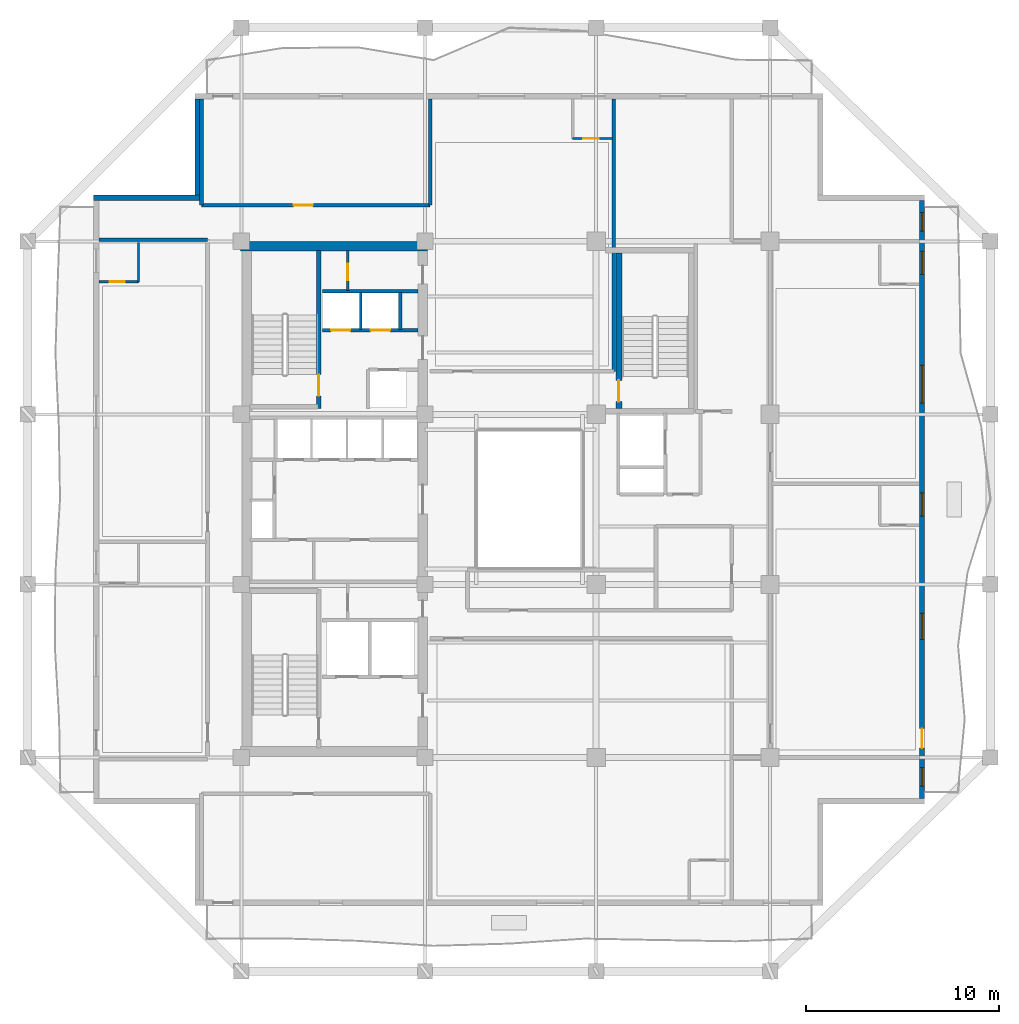
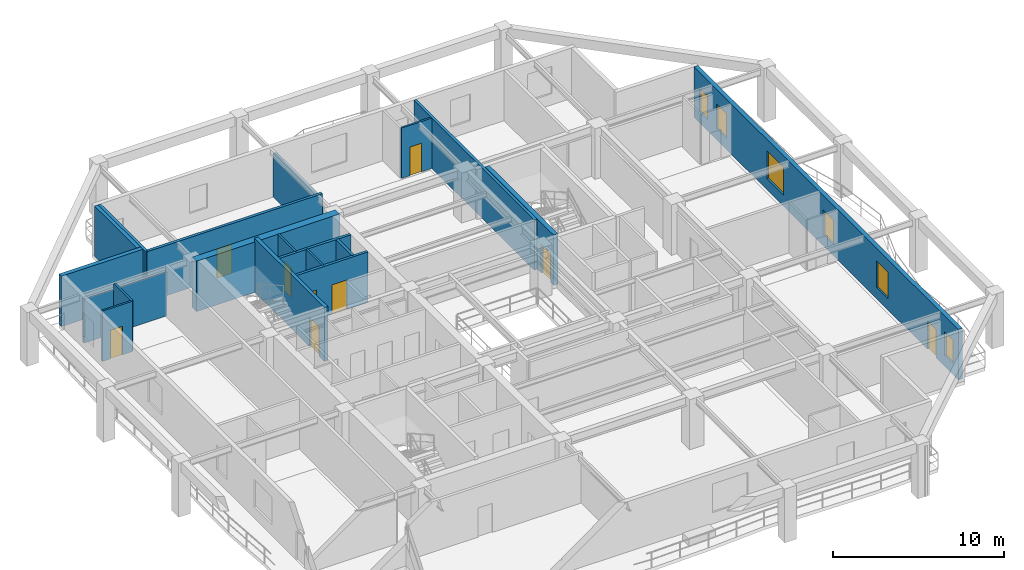
# One storey, part 5 of 12: 19 walls, 9 doors, 6 windows, 15 openings.
"""IFC4 building model written with IfcOpenShell, lengths in metres."""

from ifc_helpers import new_model, si_unit, direction, frame, frame_2d, origin, place, context, subcontext, project, spatial, rectangle, extrude, material, layer, layer_set, type_object, element, fill, save


model = new_model("IFC4")

# Units and contexts
model_context = context("Model", 3, precision=1e-05, world=origin(), true_north=direction((0.0, 1.0)))
body_context = subcontext(model_context, "Body", "Model", "MODEL_VIEW")
ifc_project = project(units=[si_unit("LENGTHUNIT", "METRE"), si_unit("AREAUNIT", "SQUARE_METRE"), si_unit("VOLUMEUNIT", "CUBIC_METRE"), si_unit("PLANEANGLEUNIT", "RADIAN"), si_unit("MASSUNIT", "GRAM", prefix="KILO")], contexts=[model_context])

# Site, building, storey
site_placement = place(None, origin())
site = spatial("IfcSite", under=ifc_project, at=site_placement, CompositionType="ELEMENT")
building_placement = place(site_placement, origin())
building = spatial("IfcBuilding", under=site, at=building_placement, Name="Kundavana Baori Tower", CompositionType="ELEMENT")
storey_placement = place(building_placement, frame((0.0, 0.0, 157.89990234375)))
storey = spatial("IfcBuildingStorey", under=building, at=storey_placement, Name="L38", CompositionType="ELEMENT", Elevation=157.89990234375)

# Wall, opening, door
ifc_material_1 = material(Name="Concrete C50/60", Category="concrete")
ifc_layer_1 = layer(ifc_material_1, 0.39990234375, Name="WL-CORE-400")
ifc_layer_set_1 = layer_set([ifc_layer_1], Name="Concrete C50/60")
wall_type_1 = type_object("IfcWallType", Name="WL-CORE-400", PredefinedType="SHEAR", material=ifc_layer_set_1)
wall_1_placement = place(storey_placement, frame((19.4599609375, 33.300048828125, 0.0), z_axis=(0.0, 0.0, 1.0), x_axis=(0.0, 1.0, 0.0)))
wall_1 = element("IfcWall", 1, at=wall_1_placement, inside=storey, type_object=wall_type_1, Name="WL-L38-ST2-E", PredefinedType="SHEAR", context=body_context, shape_type="SweptSolid", body=[
    extrude(rectangle(XDim=8.179931640625, YDim=0.239990234375, at=frame_2d((4.08984375, 0.0))), origin(), (0.0, 0.0, 1.0), 3.85009765625),
])
opening_1_placement = place(wall_1_placement, frame((0.64990234375, 0.0, 0.0)))
opening_1 = element("IfcOpeningElement", 2, at=opening_1_placement, cuts=wall_1, Name="Opening FD-110", PredefinedType="OPENING", context=body_context, shape_type="SweptSolid", body=[
    extrude(rectangle(XDim=1.10009765625, YDim=2.10009765625, at=frame_2d((0.550048828125, 1.050048828125))), frame((0.0, 0.1298828125, 0.0), z_axis=(0.0, -1.0, 0.0), x_axis=(1.0, 0.0, 0.0)), (0.0, 0.0, 1.0), 0.260009765625),
])
ifc_material_2 = material(Name="Galvanised Steel Fire-Rated Door Leaf", Category="steel")
door_type_1 = type_object("IfcDoorType", Name="DR-FD120-1100", OperationType="NOTDEFINED", PredefinedType="DOOR", material=ifc_material_2)
door_1_placement = place(opening_1_placement, origin())
door_1 = element("IfcDoor", 3, at=door_1_placement, inside=storey, type_object=door_type_1, Name="DR-L38-ST2", OperationType="SINGLE_SWING_RIGHT", OverallHeight=2.10009765625, OverallWidth=1.10009765625, PredefinedType="DOOR", context=body_context, shape_type="SweptSolid", body=[
    extrude(rectangle(XDim=1.10009765625, YDim=2.10009765625, at=frame_2d((0.550048828125, 1.050048828125))), frame((0.0, 0.02490234375, 0.0), z_axis=(0.0, -1.0, 0.0), x_axis=(1.0, 0.0, 0.0)), (0.0, 0.0, 1.0), 0.050048828125),
])
fill(opening_1, door_1)

# Wall
ifc_material_3 = material(Name="Concrete C50/60", Category="concrete")
ifc_layer_2 = layer(ifc_material_3, 0.5, Name="WL-CORE-500")
ifc_layer_set_2 = layer_set([ifc_layer_2], Name="Concrete C50/60")
wall_type_2 = type_object("IfcWallType", Name="WL-CORE-500", PredefinedType="SHEAR", material=ifc_layer_set_2)
wall_2_placement = place(storey_placement, frame((15.39990234375, 41.68994140625, 0.0), z_axis=(0.0, 0.0, 1.0), x_axis=(1.0, 0.0, 0.0)))
element("IfcWall", 4, at=wall_2_placement, inside=storey, type_object=wall_type_2, Name="L38 Offset Core North Shear Wall", PredefinedType="SHEAR", context=body_context, shape_type="SweptSolid", body=[
    extrude(rectangle(XDim=9.68017578125, YDim=0.5, at=frame_2d((4.840087890625, 0.0))), origin(), (0.0, 0.0, 1.0), 3.60009765625),
])

# Wall, openings, door, windows
ifc_material_4 = material(Name="Red-Buff Dholpur Sandstone Cladding on Concrete C40/50", Category="masonry")
ifc_layer_3 = layer(ifc_material_4, 0.280029296875, Name="WL-EXT-SAND-280")
ifc_layer_set_3 = layer_set([ifc_layer_3], Name="Red-Buff Dholpur Sandstone Cladding on Concrete C40/50")
wall_type_3 = type_object("IfcWallType", Name="WL-EXT-SAND-280", PredefinedType="STANDARD", material=ifc_layer_set_3)
wall_3_placement = place(storey_placement, frame((50.659912109375, 13.1298828125, 0.0), z_axis=(0.0, 0.0, 1.0), x_axis=(0.0, 1.0, 0.0)))
wall_3 = element("IfcWall", 5, at=wall_3_placement, inside=storey, type_object=wall_type_3, Name="L38 Exterior Insulated Facade Wall 04", PredefinedType="STANDARD", context=body_context, shape_type="SweptSolid", body=[
    extrude(rectangle(XDim=30.940185546875, YDim=0.280029296875, at=frame_2d((15.47021484375, 0.0))), origin(), (0.0, 0.0, 1.0), 3.60009765625),
])
opening_2_placement = place(wall_3_placement, frame((0.639892578125, 0.0, 0.800048828125)))
opening_2 = element("IfcOpeningElement", 6, at=opening_2_placement, cuts=wall_3, Name="Opening W-13", PredefinedType="OPENING", context=body_context, shape_type="SweptSolid", body=[
    extrude(rectangle(XDim=0.949951171875, YDim=1.64990234375, at=frame_2d((0.47509765625, 0.824951171875))), frame((0.0, 0.14990234375, 0.0), z_axis=(0.0, -1.0, 0.0), x_axis=(1.0, 0.0, 0.0)), (0.0, 0.0, 1.0), 0.300048828125),
])
opening_3_placement = place(wall_3_placement, frame((2.610107421875, 0.0, 0.0)))
opening_3 = element("IfcOpeningElement", 7, at=opening_3_placement, cuts=wall_3, Name="Opening BD-1", PredefinedType="OPENING", context=body_context, shape_type="SweptSolid", body=[
    extrude(rectangle(XDim=1.0, YDim=2.050048828125, at=frame_2d((0.5, 1.02490234375))), frame((0.0, 0.14990234375, 0.0), z_axis=(0.0, -1.0, 0.0), x_axis=(1.0, 0.0, 0.0)), (0.0, 0.0, 1.0), 0.300048828125),
])
opening_4_placement = place(wall_3_placement, frame((8.22998046875, 0.0, 0.800048828125)))
opening_4 = element("IfcOpeningElement", 8, at=opening_4_placement, cuts=wall_3, Name="Opening W-07", PredefinedType="OPENING", context=body_context, shape_type="SweptSolid", body=[
    extrude(rectangle(XDim=1.35009765625, YDim=1.89990234375, at=frame_2d((0.675048828125, 0.949951171875))), frame((0.0, 0.14990234375, 0.0), z_axis=(0.0, -1.0, 0.0), x_axis=(1.0, 0.0, 0.0)), (0.0, 0.0, 1.0), 0.300048828125),
])
opening_5_placement = place(wall_3_placement, frame((14.60498046875, 0.0, 0.800048828125)))
opening_5 = element("IfcOpeningElement", 9, at=opening_5_placement, cuts=wall_3, Name="Opening W-03", PredefinedType="OPENING", context=body_context, shape_type="SweptSolid", body=[
    extrude(rectangle(XDim=1.199951171875, YDim=1.75, at=frame_2d((0.60009765625, 0.875))), frame((0.0, 0.14990234375, 0.0), z_axis=(0.0, -1.0, 0.0), x_axis=(1.0, 0.0, 0.0)), (0.0, 0.0, 1.0), 0.300048828125),
])
opening_6_placement = place(wall_3_placement, frame((20.455078125, 0.0, 0.800048828125)))
opening_6 = element("IfcOpeningElement", 10, at=opening_6_placement, cuts=wall_3, Name="Opening W-09", PredefinedType="OPENING", context=body_context, shape_type="SweptSolid", body=[
    extrude(rectangle(XDim=1.949951171875, YDim=2.0, at=frame_2d((0.97509765625, 1.0))), frame((0.0, 0.14990234375, 0.0), z_axis=(0.0, -1.0, 0.0), x_axis=(1.0, 0.0, 0.0)), (0.0, 0.0, 1.0), 0.300048828125),
])
opening_7_placement = place(wall_3_placement, frame((27.10498046875, 0.0, 0.800048828125)))
opening_7 = element("IfcOpeningElement", 11, at=opening_7_placement, cuts=wall_3, Name="Opening W-03", PredefinedType="OPENING", context=body_context, shape_type="SweptSolid", body=[
    extrude(rectangle(XDim=1.199951171875, YDim=1.75, at=frame_2d((0.60009765625, 0.875))), frame((0.0, 0.14990234375, 0.0), z_axis=(0.0, -1.0, 0.0), x_axis=(1.0, 0.0, 0.0)), (0.0, 0.0, 1.0), 0.300048828125),
])
opening_8_placement = place(wall_3_placement, frame((29.35009765625, 0.0, 0.800048828125)))
opening_8 = element("IfcOpeningElement", 12, at=opening_8_placement, cuts=wall_3, Name="Opening W-13", PredefinedType="OPENING", context=body_context, shape_type="SweptSolid", body=[
    extrude(rectangle(XDim=0.949951171875, YDim=1.64990234375, at=frame_2d((0.47509765625, 0.824951171875))), frame((0.0, 0.14990234375, 0.0), z_axis=(0.0, -1.0, 0.0), x_axis=(1.0, 0.0, 0.0)), (0.0, 0.0, 1.0), 0.300048828125),
])
ifc_material_5 = material(Name="Architectural Patinated Bronze Metalwork")
door_type_2 = type_object("IfcDoorType", Name="DR-EXT-LOG-1000", OperationType="NOTDEFINED", PredefinedType="DOOR", material=ifc_material_5)
door_2_placement = place(opening_3_placement, frame((1.0, 0.0, 0.0), z_axis=(0.0, 0.0, 1.0), x_axis=(-1.0, 0.0, 0.0)))
door_2 = element("IfcDoor", 13, at=door_2_placement, inside=storey, type_object=door_type_2, Name="L38 Loggia Balcony Access Door E", OperationType="SINGLE_SWING_LEFT", OverallHeight=2.050048828125, OverallWidth=1.0, PredefinedType="DOOR", context=body_context, shape_type="SweptSolid", body=[
    extrude(rectangle(XDim=1.0, YDim=2.050048828125, at=frame_2d((0.5, 1.02490234375))), frame((0.0, 0.02490234375, 0.0), z_axis=(0.0, -1.0, 0.0), x_axis=(1.0, 0.0, 0.0)), (0.0, 0.0, 1.0), 0.050048828125),
])
fill(opening_3, door_2)
ifc_material_6 = material(Name="Double-Glazed Solar-Control Low-E Insulated Glass", Category="glass")
window_type_1 = type_object("IfcWindowType", Name="WIN-LOG-1200x1750", PartitioningType="SINGLE_PANEL", PredefinedType="WINDOW", material=ifc_material_6)
window_1_placement = place(opening_5_placement, origin())
window_1 = element("IfcWindow", 14, at=window_1_placement, inside=storey, type_object=window_type_1, Name="L38 Recessed Loggia Window E-3", OverallHeight=1.75, OverallWidth=1.199951171875, PartitioningType="SINGLE_PANEL", PredefinedType="WINDOW", context=body_context, shape_type="SweptSolid", body=[
    extrude(rectangle(XDim=1.199951171875, YDim=1.75, at=frame_2d((0.60009765625, 0.875))), frame((0.0, 0.030029296875, 0.0), z_axis=(0.0, -1.0, 0.0), x_axis=(1.0, 0.0, 0.0)), (0.0, 0.0, 1.0), 0.06005859375),
])
fill(opening_5, window_1)
window_2_placement = place(opening_7_placement, origin())
window_2 = element("IfcWindow", 15, at=window_2_placement, inside=storey, type_object=window_type_1, Name="L38 Recessed Loggia Window E-5", OverallHeight=1.75, OverallWidth=1.199951171875, PartitioningType="SINGLE_PANEL", PredefinedType="WINDOW", context=body_context, shape_type="SweptSolid", body=[
    extrude(rectangle(XDim=1.199951171875, YDim=1.75, at=frame_2d((0.60009765625, 0.875))), frame((0.0, 0.030029296875, 0.0), z_axis=(0.0, -1.0, 0.0), x_axis=(1.0, 0.0, 0.0)), (0.0, 0.0, 1.0), 0.06005859375),
])
fill(opening_7, window_2)
ifc_material_7 = material(Name="Double-Glazed Solar-Control Low-E Insulated Glass", Category="glass")
window_type_2 = type_object("IfcWindowType", Name="WIN-LOG-1350x1900", PartitioningType="SINGLE_PANEL", PredefinedType="WINDOW", material=ifc_material_7)
window_3_placement = place(opening_4_placement, origin())
window_3 = element("IfcWindow", 16, at=window_3_placement, inside=storey, type_object=window_type_2, Name="L38 Recessed Loggia Window E-2", OverallHeight=1.89990234375, OverallWidth=1.35009765625, PartitioningType="SINGLE_PANEL", PredefinedType="WINDOW", context=body_context, shape_type="SweptSolid", body=[
    extrude(rectangle(XDim=1.35009765625, YDim=1.89990234375, at=frame_2d((0.675048828125, 0.949951171875))), frame((0.0, 0.030029296875, 0.0), z_axis=(0.0, -1.0, 0.0), x_axis=(1.0, 0.0, 0.0)), (0.0, 0.0, 1.0), 0.06005859375),
])
fill(opening_4, window_3)
ifc_material_8 = material(Name="Double-Glazed Solar-Control Low-E Insulated Glass", Category="glass")
window_type_3 = type_object("IfcWindowType", Name="WIN-LOG-1950x2000", PartitioningType="SINGLE_PANEL", PredefinedType="WINDOW", material=ifc_material_8)
window_4_placement = place(opening_6_placement, origin())
window_4 = element("IfcWindow", 17, at=window_4_placement, inside=storey, type_object=window_type_3, Name="L38 Recessed Loggia Window E-4", OverallHeight=2.0, OverallWidth=1.949951171875, PartitioningType="SINGLE_PANEL", PredefinedType="WINDOW", context=body_context, shape_type="SweptSolid", body=[
    extrude(rectangle(XDim=1.949951171875, YDim=2.0, at=frame_2d((0.97509765625, 1.0))), frame((0.0, 0.030029296875, 0.0), z_axis=(0.0, -1.0, 0.0), x_axis=(1.0, 0.0, 0.0)), (0.0, 0.0, 1.0), 0.06005859375),
])
fill(opening_6, window_4)
ifc_material_9 = material(Name="Double-Glazed Solar-Control Low-E Insulated Glass", Category="glass")
window_type_4 = type_object("IfcWindowType", Name="WIN-LOG-950x1650", PartitioningType="SINGLE_PANEL", PredefinedType="WINDOW", material=ifc_material_9)
window_5_placement = place(opening_2_placement, origin())
window_5 = element("IfcWindow", 18, at=window_5_placement, inside=storey, type_object=window_type_4, Name="L38 Recessed Loggia Window E-1", OverallHeight=1.64990234375, OverallWidth=0.949951171875, PartitioningType="SINGLE_PANEL", PredefinedType="WINDOW", context=body_context, shape_type="SweptSolid", body=[
    extrude(rectangle(XDim=0.949951171875, YDim=1.64990234375, at=frame_2d((0.47509765625, 0.824951171875))), frame((0.0, 0.030029296875, 0.0), z_axis=(0.0, -1.0, 0.0), x_axis=(1.0, 0.0, 0.0)), (0.0, 0.0, 1.0), 0.06005859375),
])
fill(opening_2, window_5)
window_6_placement = place(opening_8_placement, origin())
window_6 = element("IfcWindow", 19, at=window_6_placement, inside=storey, type_object=window_type_4, Name="L38 Recessed Loggia Window E-6", OverallHeight=1.64990234375, OverallWidth=0.949951171875, PartitioningType="SINGLE_PANEL", PredefinedType="WINDOW", context=body_context, shape_type="SweptSolid", body=[
    extrude(rectangle(XDim=0.949951171875, YDim=1.64990234375, at=frame_2d((0.47509765625, 0.824951171875))), frame((0.0, 0.030029296875, 0.0), z_axis=(0.0, -1.0, 0.0), x_axis=(1.0, 0.0, 0.0)), (0.0, 0.0, 1.0), 0.06005859375),
])
fill(opening_8, window_6)

# Walls
wall_4_placement = place(storey_placement, frame((13.18994140625, 49.320068359375, 0.0), z_axis=(0.0, 0.0, 1.0), x_axis=(0.0, -1.0, 0.0)))
element("IfcWall", 20, at=wall_4_placement, inside=storey, type_object=wall_type_3, Name="L38 Exterior Insulated Facade Wall 08", PredefinedType="STANDARD", context=body_context, shape_type="SweptSolid", body=[
    extrude(rectangle(XDim=4.969970703125, YDim=0.280029296875, at=frame_2d((2.48486328125, 0.0))), origin(), (0.0, 0.0, 1.0), 3.60009765625),
])
wall_5_placement = place(storey_placement, frame((13.330078125, 44.2099609375, 0.0), z_axis=(0.0, 0.0, 1.0), x_axis=(-1.0, 0.0, 0.0)))
element("IfcWall", 21, at=wall_5_placement, inside=storey, type_object=wall_type_3, Name="L38 Exterior Insulated Facade Wall 09", PredefinedType="STANDARD", context=body_context, shape_type="SweptSolid", body=[
    extrude(rectangle(XDim=5.530029296875, YDim=0.280029296875, at=frame_2d((2.76513671875, 0.0))), origin(), (0.0, 0.0, 1.0), 3.60009765625),
])
ifc_material_10 = material(Name="Acoustic Gypsum Plasterboard on Galvanised Steel Studs", Category="steel")
ifc_layer_4 = layer(ifc_material_10, 0.1201171875, Name="WL-PART-120")
ifc_layer_set_4 = layer_set([ifc_layer_4], Name="Acoustic Gypsum Plasterboard on Galvanised Steel Studs")
wall_type_4 = type_object("IfcWallType", Name="WL-PART-120", PredefinedType="PARTITIONING", material=ifc_layer_set_4)
wall_6_placement = place(storey_placement, frame((21.6201171875, 37.39990234375, 0.0), z_axis=(0.0, 0.0, 1.0), x_axis=(0.0, 1.0, 0.0)))
element("IfcWall", 22, at=wall_6_placement, inside=storey, type_object=wall_type_4, Name="WL-L38-HR-DIV1", PredefinedType="PARTITIONING", context=body_context, shape_type="SweptSolid", body=[
    extrude(rectangle(XDim=1.900146484375, YDim=0.1201171875, at=frame_2d((0.9501953125, 0.0))), origin(), (0.0, 0.0, 1.0), 3.60009765625),
])

# Wall, opening, door
wall_7_placement = place(storey_placement, frame((20.949951171875, 39.39990234375, 0.0), z_axis=(0.0, 0.0, 1.0), x_axis=(0.0, 1.0, 0.0)))
wall_7 = element("IfcWall", 23, at=wall_7_placement, inside=storey, type_object=wall_type_4, Name="WL-L38-CSRV-D2", PredefinedType="PARTITIONING", context=body_context, shape_type="SweptSolid", body=[
    extrude(rectangle(XDim=2.080078125, YDim=0.1201171875, at=frame_2d((1.0400390625, 0.0))), origin(), (0.0, 0.0, 1.0), 3.60009765625),
])
opening_9_placement = place(wall_7_placement, frame((0.550048828125, 0.0, 0.0)))
opening_9 = element("IfcOpeningElement", 24, at=opening_9_placement, cuts=wall_7, Name="Opening FD-085", PredefinedType="OPENING", context=body_context, shape_type="SweptSolid", body=[
    extrude(rectangle(XDim=0.85009765625, YDim=2.06005859375, at=frame_2d((0.425048828125, 1.030029296875))), frame((0.0, 0.070068359375, 0.0), z_axis=(0.0, -1.0, 0.0), x_axis=(1.0, 0.0, 0.0)), (0.0, 0.0, 1.0), 0.14013671875),
])
ifc_material_11 = material(Name="Galvanised Steel Fire-Rated Door Leaf", Category="steel")
door_type_3 = type_object("IfcDoorType", Name="DR-FD60-850", OperationType="NOTDEFINED", PredefinedType="DOOR", material=ifc_material_11)
door_3_placement = place(opening_9_placement, origin())
door_3 = element("IfcDoor", 25, at=door_3_placement, inside=storey, type_object=door_type_3, Name="DR-L38-CSRV1", OperationType="SINGLE_SWING_RIGHT", OverallHeight=2.06005859375, OverallWidth=0.85009765625, PredefinedType="DOOR", context=body_context, shape_type="SweptSolid", body=[
    extrude(rectangle(XDim=0.85009765625, YDim=2.06005859375, at=frame_2d((0.425048828125, 1.030029296875))), frame((0.0, 0.02490234375, 0.0), z_axis=(0.0, -1.0, 0.0), x_axis=(1.0, 0.0, 0.0)), (0.0, 0.0, 1.0), 0.050048828125),
])
fill(opening_9, door_3)

# Wall
ifc_material_12 = material(Name="Autoclaved Aerated Concrete Blockwork Masonry", Category="masonry")
ifc_layer_5 = layer(ifc_material_12, 0.18505859375, Name="WL-PART-180")
ifc_layer_set_5 = layer_set([ifc_layer_5], Name="Autoclaved Aerated Concrete Blockwork Masonry")
wall_type_5 = type_object("IfcWallType", Name="WL-PART-180", PredefinedType="SOLIDWALL", material=ifc_layer_set_5)
wall_8_placement = place(storey_placement, frame((8.080078125, 42.0400390625, 0.0), z_axis=(0.0, 0.0, 1.0), x_axis=(1.0, 0.0, 0.0)))
element("IfcWall", 26, at=wall_8_placement, inside=storey, type_object=wall_type_5, Name="WL-L38-HWN", PredefinedType="SOLIDWALL", context=body_context, shape_type="SweptSolid", body=[
    extrude(rectangle(XDim=5.619873046875, YDim=0.18505859375, at=frame_2d((2.81005859375, 0.0))), origin(), (0.0, 0.0, 1.0), 3.150146484375),
])

# Wall, opening, door
wall_9_placement = place(storey_placement, frame((13.389892578125, 43.820068359375, 0.0), z_axis=(0.0, 0.0, 1.0), x_axis=(1.0, 0.0, 0.0)))
wall_9 = element("IfcWall", 27, at=wall_9_placement, inside=storey, type_object=wall_type_5, Name="WL-L38-HNC", PredefinedType="SOLIDWALL", context=body_context, shape_type="SweptSolid", body=[
    extrude(rectangle(XDim=11.830078125, YDim=0.18505859375, at=frame_2d((5.9150390625, 0.0))), origin(), (0.0, 0.0, 1.0), 3.60009765625),
])
opening_10_placement = place(wall_9_placement, frame((4.760009765625, 0.0, 0.0)))
opening_10 = element("IfcOpeningElement", 28, at=opening_10_placement, cuts=wall_9, Name="Opening ID-100", PredefinedType="OPENING", context=body_context, shape_type="SweptSolid", body=[
    extrude(rectangle(XDim=1.0, YDim=2.080078125, at=frame_2d((0.5, 1.0400390625))), frame((0.0, 0.1025390625, 0.0), z_axis=(0.0, -1.0, 0.0), x_axis=(1.0, 0.0, 0.0)), (0.0, 0.0, 1.0), 0.205078125),
])
ifc_material_13 = material(Name="Engineered Teak Solid-Core Timber Veneer", Category="wood")
door_type_4 = type_object("IfcDoorType", Name="DR-INT-1000", OperationType="NOTDEFINED", PredefinedType="DOOR", material=ifc_material_13)
door_4_placement = place(opening_10_placement, origin())
door_4 = element("IfcDoor", 29, at=door_4_placement, inside=storey, type_object=door_type_4, Name="DR-L38-HMNW", OperationType="SINGLE_SWING_RIGHT", OverallHeight=2.080078125, OverallWidth=1.0, PredefinedType="DOOR", context=body_context, shape_type="SweptSolid", body=[
    extrude(rectangle(XDim=1.0, YDim=2.080078125, at=frame_2d((0.5, 1.0400390625))), frame((0.0, 0.02490234375, 0.0), z_axis=(0.0, -1.0, 0.0), x_axis=(1.0, 0.0, 0.0)), (0.0, 0.0, 1.0), 0.050048828125),
])
fill(opening_10, door_4)

# Walls
wall_10_placement = place(storey_placement, frame((13.389892578125, 43.820068359375, 0.0), z_axis=(0.0, 0.0, 1.0), x_axis=(0.0, 1.0, 0.0)))
element("IfcWall", 30, at=wall_10_placement, inside=storey, type_object=wall_type_5, Name="WL-L38-HNCW", PredefinedType="SOLIDWALL", context=body_context, shape_type="SweptSolid", body=[
    extrude(rectangle(XDim=5.5, YDim=0.18505859375, at=frame_2d((2.75, 0.0))), origin(), (0.0, 0.0, 1.0), 3.60009765625),
])
wall_11_placement = place(storey_placement, frame((25.219970703125, 43.820068359375, 0.0), z_axis=(0.0, 0.0, 1.0), x_axis=(0.0, 1.0, 0.0)))
element("IfcWall", 31, at=wall_11_placement, inside=storey, type_object=wall_type_5, Name="WL-L38-HNCE", PredefinedType="SOLIDWALL", context=body_context, shape_type="SweptSolid", body=[
    extrude(rectangle(XDim=5.5, YDim=0.18505859375, at=frame_2d((2.75, 0.0))), origin(), (0.0, 0.0, 1.0), 3.150146484375),
])
wall_12_placement = place(storey_placement, frame((34.719970703125, 35.219970703125, 0.0), z_axis=(0.0, 0.0, 1.0), x_axis=(0.0, 1.0, 0.0)))
element("IfcWall", 32, at=wall_12_placement, inside=storey, type_object=wall_type_5, Name="WL-L38-HNEND", PredefinedType="SOLIDWALL", context=body_context, shape_type="SweptSolid", body=[
    extrude(rectangle(XDim=14.10009765625, YDim=0.18505859375, at=frame_2d((7.050048828125, 0.0))), origin(), (0.0, 0.0, 1.0), 3.60009765625),
])

# Wall, openings, doors
ifc_material_14 = material(Name="Autoclaved Aerated Concrete Blockwork Masonry", Category="masonry")
ifc_layer_6 = layer(ifc_material_14, 0.179931640625, Name="WL-SHAFT-180")
ifc_layer_set_6 = layer_set([ifc_layer_6], Name="Autoclaved Aerated Concrete Blockwork Masonry")
wall_type_6 = type_object("IfcWallType", Name="WL-SHAFT-180", PredefinedType="SOLIDWALL", material=ifc_layer_set_6)
wall_13_placement = place(storey_placement, frame((19.639892578125, 37.340087890625, 0.0), z_axis=(0.0, 0.0, 1.0), x_axis=(1.0, 0.0, 0.0)))
wall_13 = element("IfcWall", 33, at=wall_13_placement, inside=storey, type_object=wall_type_6, Name="WL-L38-HRLOB-N", PredefinedType="SOLIDWALL", context=body_context, shape_type="SweptSolid", body=[
    extrude(rectangle(XDim=4.940185546875, YDim=0.179931640625, at=frame_2d((2.47021484375, 0.0))), origin(), (0.0, 0.0, 1.0), 3.60009765625),
])
opening_11_placement = place(wall_13_placement, frame((0.449951171875, 0.0, 0.0)))
opening_11 = element("IfcOpeningElement", 34, at=opening_11_placement, cuts=wall_13, Name="Opening LD-100", PredefinedType="OPENING", context=body_context, shape_type="SweptSolid", body=[
    extrude(rectangle(XDim=1.0, YDim=2.10009765625, at=frame_2d((0.5, 1.050048828125))), frame((0.0, 0.10009765625, 0.0), z_axis=(0.0, -1.0, 0.0), x_axis=(1.0, 0.0, 0.0)), (0.0, 0.0, 1.0), 0.199951171875),
])
opening_12_placement = place(wall_13_placement, frame((2.5, 0.0, 0.0)))
opening_12 = element("IfcOpeningElement", 35, at=opening_12_placement, cuts=wall_13, Name="Opening LD-100", PredefinedType="OPENING", context=body_context, shape_type="SweptSolid", body=[
    extrude(rectangle(XDim=1.0, YDim=2.10009765625, at=frame_2d((0.5, 1.050048828125))), frame((0.0, 0.10009765625, 0.0), z_axis=(0.0, -1.0, 0.0), x_axis=(1.0, 0.0, 0.0)), (0.0, 0.0, 1.0), 0.199951171875),
])
ifc_material_15 = material(Name="Galvanised Steel Fire-Rated Door Leaf", Category="steel")
door_type_5 = type_object("IfcDoorType", Name="DR-SLIDE-LD1000", OperationType="NOTDEFINED", PredefinedType="DOOR", material=ifc_material_15)
door_5_placement = place(opening_11_placement, frame((1.0, 0.0, 0.0), z_axis=(0.0, 0.0, 1.0), x_axis=(-1.0, 0.0, 0.0)))
door_5 = element("IfcDoor", 36, at=door_5_placement, inside=storey, type_object=door_type_5, Name="DR-L38-LD-LP09", OperationType="DOUBLE_DOOR_SLIDING", OverallHeight=2.10009765625, OverallWidth=1.0, PredefinedType="DOOR", context=body_context, shape_type="SweptSolid", body=[
    extrude(rectangle(XDim=1.0, YDim=2.10009765625, at=frame_2d((0.5, 1.050048828125))), frame((0.0, 0.02490234375, 0.0), z_axis=(0.0, -1.0, 0.0), x_axis=(1.0, 0.0, 0.0)), (0.0, 0.0, 1.0), 0.050048828125),
])
fill(opening_11, door_5)
door_6_placement = place(opening_12_placement, frame((1.0, 0.0, 0.0), z_axis=(0.0, 0.0, 1.0), x_axis=(-1.0, 0.0, 0.0)))
door_6 = element("IfcDoor", 37, at=door_6_placement, inside=storey, type_object=door_type_5, Name="DR-L38-LD-LP10", OperationType="DOUBLE_DOOR_SLIDING", OverallHeight=2.10009765625, OverallWidth=1.0, PredefinedType="DOOR", context=body_context, shape_type="SweptSolid", body=[
    extrude(rectangle(XDim=1.0, YDim=2.10009765625, at=frame_2d((0.5, 1.050048828125))), frame((0.0, 0.02490234375, 0.0), z_axis=(0.0, -1.0, 0.0), x_axis=(1.0, 0.0, 0.0)), (0.0, 0.0, 1.0), 0.050048828125),
])
fill(opening_12, door_6)

# Walls
wall_14_placement = place(storey_placement, frame((19.639892578125, 39.360107421875, 0.0), z_axis=(0.0, 0.0, 1.0), x_axis=(1.0, 0.0, 0.0)))
element("IfcWall", 38, at=wall_14_placement, inside=storey, type_object=wall_type_6, Name="WL-L38-HRLOB-TOP", PredefinedType="SOLIDWALL", context=body_context, shape_type="SweptSolid", body=[
    extrude(rectangle(XDim=4.940185546875, YDim=0.179931640625, at=frame_2d((2.47021484375, 0.0))), origin(), (0.0, 0.0, 1.0), 3.60009765625),
])
wall_15_placement = place(storey_placement, frame((23.659912109375, 37.39990234375, 0.0), z_axis=(0.0, 0.0, 1.0), x_axis=(0.0, 1.0, 0.0)))
element("IfcWall", 39, at=wall_15_placement, inside=storey, type_object=wall_type_6, Name="WL-L38-HR-DIV2", PredefinedType="SOLIDWALL", context=body_context, shape_type="SweptSolid", body=[
    extrude(rectangle(XDim=1.900146484375, YDim=0.179931640625, at=frame_2d((0.9501953125, 0.0))), origin(), (0.0, 0.0, 1.0), 3.60009765625),
])

# Wall, opening, door
ifc_material_16 = material(Name="Concrete C50/60", Category="concrete")
ifc_layer_7 = layer(ifc_material_16, 0.300048828125, Name="WL-ST3-300")
ifc_layer_set_7 = layer_set([ifc_layer_7], Name="Concrete C50/60")
wall_type_7 = type_object("IfcWallType", Name="WL-ST3-300", PredefinedType="SHEAR", material=ifc_layer_set_7)
wall_16_placement = place(storey_placement, frame((34.97998046875, 33.31005859375, 0.0), z_axis=(0.0, 0.0, 1.0), x_axis=(0.0, 1.0, 0.0)))
wall_16 = element("IfcWall", 40, at=wall_16_placement, inside=storey, type_object=wall_type_7, Name="L38 Stair ST3 West Shear Wall", PredefinedType="SHEAR", context=body_context, shape_type="SweptSolid", body=[
    extrude(rectangle(XDim=8.030029296875, YDim=0.300048828125, at=frame_2d((4.01513671875, 0.0))), origin(), (0.0, 0.0, 1.0), 3.60009765625),
])
opening_13_placement = place(wall_16_placement, frame((0.35009765625, 0.0, 0.0)))
opening_13 = element("IfcOpeningElement", 41, at=opening_13_placement, cuts=wall_16, Name="Opening FD-110", PredefinedType="OPENING", context=body_context, shape_type="SweptSolid", body=[
    extrude(rectangle(XDim=1.10009765625, YDim=2.10009765625, at=frame_2d((0.550048828125, 1.050048828125))), frame((0.0, 0.16015625, 0.0), z_axis=(0.0, -1.0, 0.0), x_axis=(1.0, 0.0, 0.0)), (0.0, 0.0, 1.0), 0.320068359375),
])
door_7_placement = place(opening_13_placement, origin())
door_7 = element("IfcDoor", 42, at=door_7_placement, inside=storey, type_object=door_type_1, Name="DR-L38-ST3-W", OperationType="SINGLE_SWING_LEFT", OverallHeight=2.10009765625, OverallWidth=1.10009765625, PredefinedType="DOOR", context=body_context, shape_type="SweptSolid", body=[
    extrude(rectangle(XDim=1.10009765625, YDim=2.10009765625, at=frame_2d((0.550048828125, 1.050048828125))), frame((0.0, 0.02490234375, 0.0), z_axis=(0.0, -1.0, 0.0), x_axis=(1.0, 0.0, 0.0)), (0.0, 0.0, 1.0), 0.050048828125),
])
fill(opening_13, door_7)

# Wall
ifc_material_17 = material(Name="Autoclaved Aerated Concrete Blockwork Masonry", Category="masonry")
ifc_layer_8 = layer(ifc_material_17, 0.125, Name="WL-WET-120")
ifc_layer_set_8 = layer_set([ifc_layer_8], Name="Autoclaved Aerated Concrete Blockwork Masonry")
wall_type_8 = type_object("IfcWallType", Name="WL-WET-120", PredefinedType="PLUMBINGWALL", material=ifc_layer_set_8)
wall_17_placement = place(storey_placement, frame((10.1298828125, 39.85009765625, 0.0), z_axis=(0.0, 0.0, 1.0), x_axis=(0.0, 1.0, 0.0)))
element("IfcWall", 43, at=wall_17_placement, inside=storey, type_object=wall_type_8, Name="WL-L38-HK-W2-BE", PredefinedType="PLUMBINGWALL", context=body_context, shape_type="SweptSolid", body=[
    extrude(rectangle(XDim=2.0498046875, YDim=0.125, at=frame_2d((1.02490234375, 0.0))), origin(), (0.0, 0.0, 1.0), 3.60009765625),
])

# Wall, opening, door
wall_18_placement = place(storey_placement, frame((8.080078125, 39.85009765625, 0.0), z_axis=(0.0, 0.0, 1.0), x_axis=(1.0, 0.0, 0.0)))
wall_18 = element("IfcWall", 44, at=wall_18_placement, inside=storey, type_object=wall_type_8, Name="WL-L38-HK-W2-BS", PredefinedType="PLUMBINGWALL", context=body_context, shape_type="SweptSolid", body=[
    extrude(rectangle(XDim=2.0498046875, YDim=0.125, at=frame_2d((1.02490234375, 0.0))), origin(), (0.0, 0.0, 1.0), 3.60009765625),
])
opening_14_placement = place(wall_18_placement, frame((0.550048828125, 0.0, 0.0)))
opening_14 = element("IfcOpeningElement", 45, at=opening_14_placement, cuts=wall_18, Name="Opening WD-080", PredefinedType="OPENING", context=body_context, shape_type="SweptSolid", body=[
    extrude(rectangle(XDim=0.800048828125, YDim=2.050048828125, at=frame_2d((0.39990234375, 1.02490234375))), frame((0.0, 0.072509765625, 0.0), z_axis=(0.0, -1.0, 0.0), x_axis=(1.0, 0.0, 0.0)), (0.0, 0.0, 1.0), 0.14501953125),
])
ifc_material_18 = material(Name="Engineered Teak Solid-Core Timber Veneer", Category="wood")
door_type_6 = type_object("IfcDoorType", Name="DR-WET-800", OperationType="NOTDEFINED", PredefinedType="DOOR", material=ifc_material_18)
door_8_placement = place(opening_14_placement, frame((0.800048828125, 0.0, 0.0), z_axis=(0.0, 0.0, 1.0), x_axis=(-1.0, 0.0, 0.0)))
door_8 = element("IfcDoor", 46, at=door_8_placement, inside=storey, type_object=door_type_6, Name="DR-L38-HK-W2-ENS", OperationType="SINGLE_SWING_LEFT", OverallHeight=2.050048828125, OverallWidth=0.800048828125, PredefinedType="DOOR", context=body_context, shape_type="SweptSolid", body=[
    extrude(rectangle(XDim=0.800048828125, YDim=2.050048828125, at=frame_2d((0.39990234375, 1.02490234375))), frame((0.0, 0.02490234375, 0.0), z_axis=(0.0, -1.0, 0.0), x_axis=(1.0, 0.0, 0.0)), (0.0, 0.0, 1.0), 0.050048828125),
])
fill(opening_14, door_8)

wall_19_placement = place(storey_placement, frame((32.590087890625, 47.27001953125, 0.0), z_axis=(0.0, 0.0, 1.0), x_axis=(1.0, 0.0, 0.0)))
wall_19 = element("IfcWall", 47, at=wall_19_placement, inside=storey, type_object=wall_type_8, Name="WL-L38-HK-N1-BS", PredefinedType="PLUMBINGWALL", context=body_context, shape_type="SweptSolid", body=[
    extrude(rectangle(XDim=2.0498046875, YDim=0.125, at=frame_2d((1.02490234375, 0.0))), origin(), (0.0, 0.0, 1.0), 3.60009765625),
])
opening_15_placement = place(wall_19_placement, frame((0.550048828125, 0.0, 0.0)))
opening_15 = element("IfcOpeningElement", 48, at=opening_15_placement, cuts=wall_19, Name="Opening WD-080", PredefinedType="OPENING", context=body_context, shape_type="SweptSolid", body=[
    extrude(rectangle(XDim=0.800048828125, YDim=2.050048828125, at=frame_2d((0.39990234375, 1.02490234375))), frame((0.0, 0.072509765625, 0.0), z_axis=(0.0, -1.0, 0.0), x_axis=(1.0, 0.0, 0.0)), (0.0, 0.0, 1.0), 0.14501953125),
])
door_9_placement = place(opening_15_placement, frame((0.800048828125, 0.0, 0.0), z_axis=(0.0, 0.0, 1.0), x_axis=(-1.0, 0.0, 0.0)))
door_9 = element("IfcDoor", 49, at=door_9_placement, inside=storey, type_object=door_type_6, Name="DR-L38-HK-N1-ENS", OperationType="SINGLE_SWING_LEFT", OverallHeight=2.050048828125, OverallWidth=0.800048828125, PredefinedType="DOOR", context=body_context, shape_type="SweptSolid", body=[
    extrude(rectangle(XDim=0.800048828125, YDim=2.050048828125, at=frame_2d((0.39990234375, 1.02490234375))), frame((0.0, 0.02490234375, 0.0), z_axis=(0.0, -1.0, 0.0), x_axis=(1.0, 0.0, 0.0)), (0.0, 0.0, 1.0), 0.050048828125),
])
fill(opening_15, door_9)

save(model, "model.ifc")
